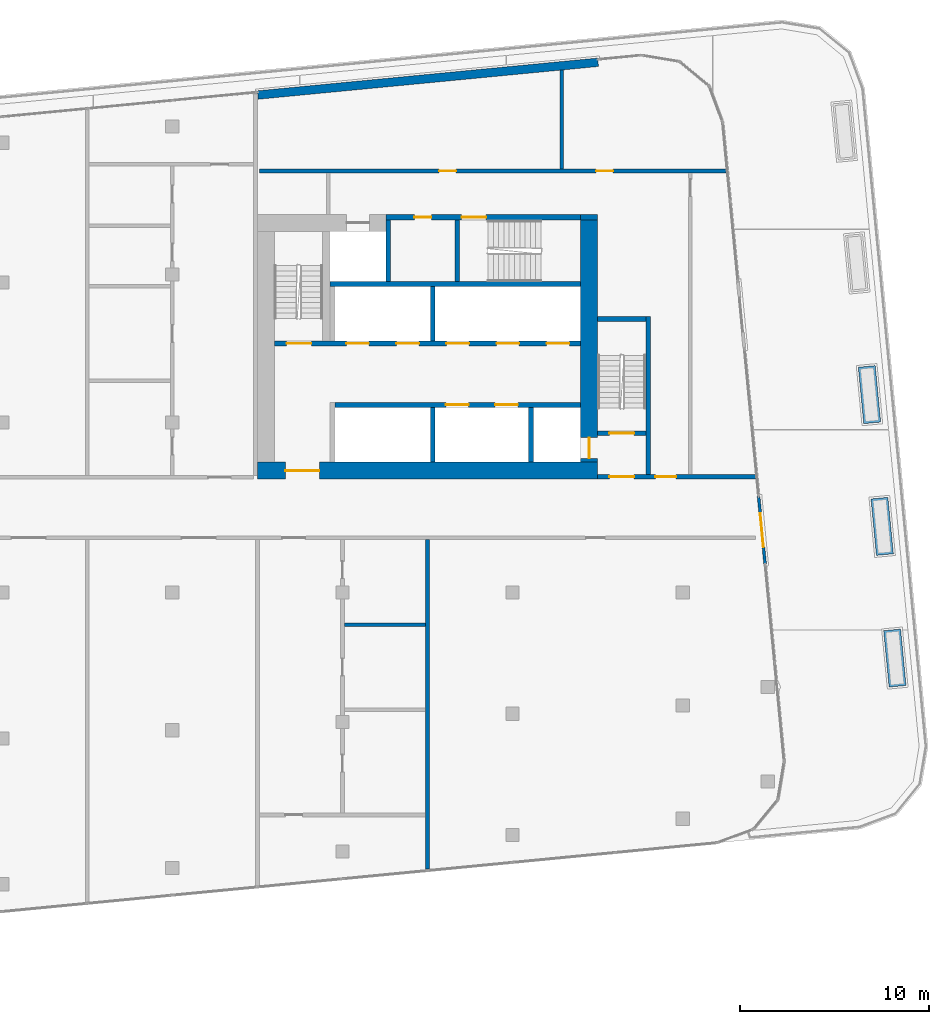
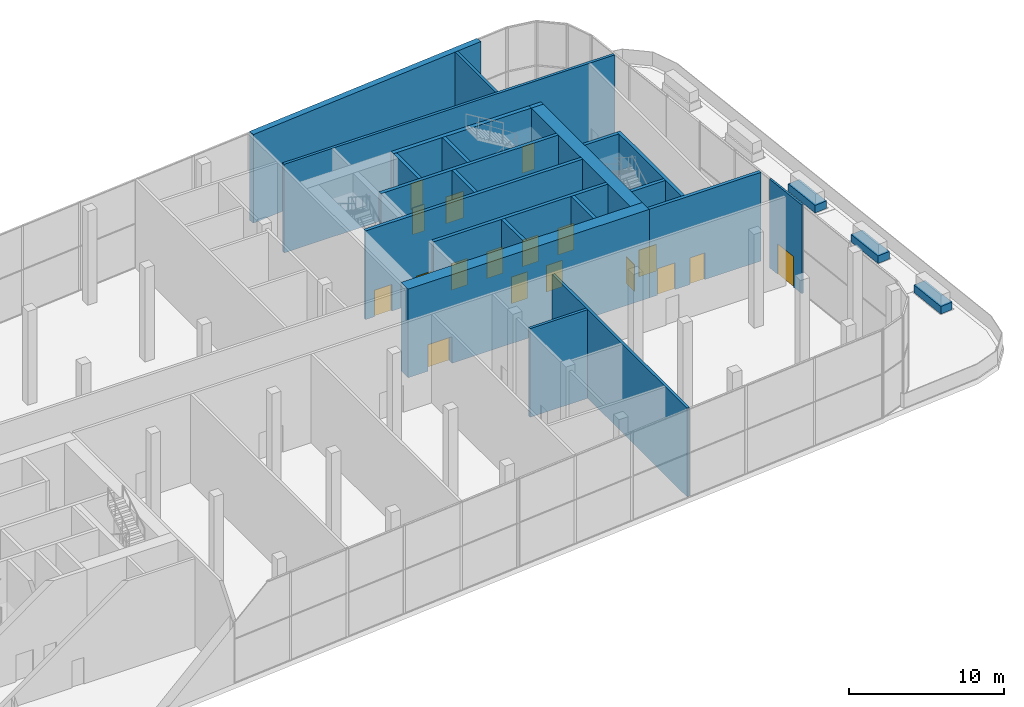
# One storey, part 15 of 25: 25 walls, 18 doors, 18 openings.
"""IFC4 building model written with IfcOpenShell, lengths in metres."""

from ifc_helpers import new_model, si_unit, direction, frame, frame_2d, origin, place, context, subcontext, project, spatial, rectangle, extrude, material, layer, layer_set, type_object, element, fill, save


model = new_model("IFC4")

# Units and contexts
model_context = context("Model", 3, precision=1e-05, world=origin(), true_north=direction((0.0, 1.0)))
body_context = subcontext(model_context, "Body", "Model", "MODEL_VIEW")
ifc_project = project(units=[si_unit("LENGTHUNIT", "METRE"), si_unit("AREAUNIT", "SQUARE_METRE"), si_unit("VOLUMEUNIT", "CUBIC_METRE"), si_unit("PLANEANGLEUNIT", "RADIAN"), si_unit("MASSUNIT", "GRAM", prefix="KILO")], contexts=[model_context])

# Site, building, storey
site_placement = place(None, origin())
site = spatial("IfcSite", under=ifc_project, at=site_placement, CompositionType="ELEMENT")
building_placement = place(site_placement, origin())
building = spatial("IfcBuilding", under=site, at=building_placement, Name="Kajstack Hotel Tower", CompositionType="ELEMENT")
storey_placement = place(building_placement, frame((0.0, 0.0, 155.0)))
storey = spatial("IfcBuildingStorey", under=building, at=storey_placement, Name="L36", CompositionType="ELEMENT", Elevation=155.0)

# Wall, opening, door
ifc_material_1 = material(Name="Concrete C60/75", Category="concrete")
ifc_layer_1 = layer(ifc_material_1, 0.89990234375)
ifc_layer_set_1 = layer_set([ifc_layer_1], Name="Core wall 900")
wall_type_1 = type_object("IfcWallType", Name="Core wall 900", PredefinedType="SHEAR", material=ifc_layer_set_1)
wall_1_placement = place(storey_placement, frame((13.5, 1.949951171875, 0.0), z_axis=(0.0, 0.0, 1.0), x_axis=(1.0, 0.0, 0.0)))
wall_1 = element("IfcWall", 1, at=wall_1_placement, inside=storey, type_object=wall_type_1, Name="Core wall E RN", PredefinedType="SHEAR", context=body_context, shape_type="SweptSolid", body=[
    extrude(rectangle(XDim=18.0, YDim=0.89990234375, at=frame_2d((9.0, 0.0))), origin(), (0.0, 0.0, 1.0), 7.0),
])
opening_1_placement = place(wall_1_placement, frame((1.47509765625, 0.0, 0.0)))
opening_1 = element("IfcOpeningElement", 2, at=opening_1_placement, cuts=wall_1, Name="Opening 36E10", PredefinedType="OPENING", context=body_context, shape_type="SweptSolid", body=[
    extrude(rectangle(XDim=1.800048828125, YDim=2.10009765625, at=frame_2d((0.89990234375, 1.050048828125))), frame((0.0, 0.4599609375, 0.0), z_axis=(0.0, -1.0, 0.0), x_axis=(1.0, 0.0, 0.0)), (0.0, 0.0, 1.0), 0.919921875),
])
ifc_material_2 = material(Name="Glazed steel frame, fire-rated glass", Category="steel")
door_type_1 = type_object("IfcDoorType", Name="Lobby double door 1800", OperationType="DOUBLE_DOOR_DOUBLE_SWING", PredefinedType="DOOR", material=ifc_material_2)
door_1_placement = place(opening_1_placement, origin())
door_1 = element("IfcDoor", 3, at=door_1_placement, inside=storey, type_object=door_type_1, Name="Door 36E10", OperationType="DOUBLE_DOOR_DOUBLE_SWING", OverallHeight=2.10009765625, OverallWidth=1.800048828125, PredefinedType="DOOR", context=body_context, shape_type="SweptSolid", body=[
    extrude(rectangle(XDim=1.800048828125, YDim=2.10009765625, at=frame_2d((0.89990234375, 1.050048828125))), frame((0.0, 0.02490234375, 0.0), z_axis=(0.0, -1.0, 0.0), x_axis=(1.0, 0.0, 0.0)), (0.0, 0.0, 1.0), 0.050048828125),
])
fill(opening_1, door_1)

# Wall
wall_2_placement = place(storey_placement, frame((30.60009765625, 15.35009765625, 0.0), z_axis=(0.0, 0.0, 1.0), x_axis=(1.0, 0.0, 0.0)))
element("IfcWall", 4, at=wall_2_placement, inside=storey, type_object=wall_type_1, Name="Core wall E RSW", PredefinedType="SHEAR", context=body_context, shape_type="SweptSolid", body=[
    extrude(rectangle(XDim=0.89990234375, YDim=0.300048828125, at=frame_2d((0.449951171875, 0.0))), origin(), (0.0, 0.0, 1.0), 7.0),
])

# Wall, opening, door
wall_3_placement = place(storey_placement, frame((31.050048828125, 2.39990234375, 0.0), z_axis=(0.0, 0.0, 1.0), x_axis=(0.0, 1.0, 0.0)))
wall_3 = element("IfcWall", 5, at=wall_3_placement, inside=storey, type_object=wall_type_1, Name="Core wall E RW", PredefinedType="SHEAR", context=body_context, shape_type="SweptSolid", body=[
    extrude(rectangle(XDim=12.800048828125, YDim=0.89990234375, at=frame_2d((6.39990234375, 0.0))), origin(), (0.0, 0.0, 1.0), 7.0),
])
opening_2_placement = place(wall_3_placement, frame((0.199951171875, 0.0, 0.0)))
opening_2 = element("IfcOpeningElement", 6, at=opening_2_placement, cuts=wall_3, Name="Opening LD-FF2", PredefinedType="OPENING", context=body_context, shape_type="SweptSolid", body=[
    extrude(rectangle(XDim=1.10009765625, YDim=2.10009765625, at=frame_2d((0.550048828125, 1.050048828125))), frame((0.0, 0.4599609375, 0.0), z_axis=(0.0, -1.0, 0.0), x_axis=(1.0, 0.0, 0.0)), (0.0, 0.0, 1.0), 0.919921875),
])
ifc_material_3 = material(Name="Stainless steel", Category="steel")
door_type_2 = type_object("IfcDoorType", Name="Fire-fighting lift landing door 1100", OperationType="SLIDING_TO_LEFT", PredefinedType="DOOR", material=ifc_material_3)
door_2_placement = place(opening_2_placement, origin())
door_2 = element("IfcDoor", 7, at=door_2_placement, inside=storey, type_object=door_type_2, Name="Landing door FF2", OperationType="SLIDING_TO_LEFT", OverallHeight=2.10009765625, OverallWidth=1.10009765625, PredefinedType="DOOR", context=body_context, shape_type="SweptSolid", body=[
    extrude(rectangle(XDim=1.10009765625, YDim=2.10009765625, at=frame_2d((0.550048828125, 1.050048828125))), frame((0.0, 0.02490234375, 0.0), z_axis=(0.0, -1.0, 0.0), x_axis=(1.0, 0.0, 0.0)), (0.0, 0.0, 1.0), 0.050048828125),
])
fill(opening_2, door_2)

# Wall
ifc_material_4 = material(Name="Concrete C40/50", Category="concrete")
ifc_layer_2 = layer(ifc_material_4, 0.449951171875)
ifc_layer_set_2 = layer_set([ifc_layer_2], Name="EW-CORE")
wall_type_2 = type_object("IfcWallType", Name="EW-CORE", PredefinedType="SOLIDWALL", material=ifc_layer_set_2)
wall_4_placement = place(storey_placement, frame((31.521484375, 23.55078125, 0.0), z_axis=(0.0, 0.0, 1.0), x_axis=(-0.995395166513, -0.095856468129, 0.0)))
element("IfcWall", 8, at=wall_4_placement, inside=storey, type_object=wall_type_2, Name="E-wall-L36-12-01", PredefinedType="SOLIDWALL", context=body_context, shape_type="SweptSolid", body=[
    extrude(rectangle(XDim=18.083251953125, YDim=0.449951171875, at=frame_2d((9.04150390625, 0.0))), origin(), (0.0, 0.0, 1.0), 7.0),
])

# Wall, opening, door
ifc_material_5 = material(Name="Aluminium", Category="aluminium")
ifc_layer_3 = layer(ifc_material_5, 0.14990234375)
ifc_layer_set_3 = layer_set([ifc_layer_3], Name="EW-FRAME")
wall_type_3 = type_object("IfcWallType", Name="EW-FRAME", PredefinedType="SOLIDWALL", material=ifc_layer_set_3)
wall_5_placement = place(storey_placement, frame((40.357177734375, -2.9990234375, 0.0), z_axis=(0.0, 0.0, 1.0), x_axis=(-0.095823535273, 0.995398337395, 0.0)))
wall_5 = element("IfcWall", 9, at=wall_5_placement, inside=storey, type_object=wall_type_3, Name="E-wall-L36-08-01", PredefinedType="SOLIDWALL", context=body_context, shape_type="SweptSolid", body=[
    extrude(rectangle(XDim=3.60009765625, YDim=0.14990234375, at=frame_2d((1.800048828125, 0.0))), origin(), (0.0, 0.0, 1.0), 7.0),
])
opening_3_placement = place(wall_5_placement, frame((0.89990234375, 0.0, 0.0)))
opening_3 = element("IfcOpeningElement", 10, at=opening_3_placement, cuts=wall_5, Name="Opening TD1", PredefinedType="OPENING", context=body_context, shape_type="SweptSolid", body=[
    extrude(rectangle(XDim=1.800048828125, YDim=2.39990234375, at=frame_2d((0.89990234375, 1.199951171875))), frame((0.0, 0.0849609375, 0.0), z_axis=(0.0, -1.0, 0.0), x_axis=(1.0, 0.0, 0.0)), (0.0, 0.0, 1.0), 0.169921875),
])
ifc_material_6 = material(Name="Timber-aluminium door", Category="wood")
door_type_3 = type_object("IfcDoorType", Name="DOOR-TERRACE", OperationType="DOUBLE_DOOR_SINGLE_SWING", PredefinedType="DOOR", material=ifc_material_6)
door_3_placement = place(opening_3_placement, origin())
door_3 = element("IfcDoor", 11, at=door_3_placement, inside=storey, type_object=door_type_3, Name="Terrace door L36-08", OperationType="SINGLE_SWING_LEFT", OverallHeight=2.39990234375, OverallWidth=1.800048828125, PredefinedType="DOOR", context=body_context, shape_type="SweptSolid", body=[
    extrude(rectangle(XDim=1.800048828125, YDim=2.39990234375, at=frame_2d((0.89990234375, 1.199951171875))), frame((0.0, 0.02490234375, 0.0), z_axis=(0.0, -1.0, 0.0), x_axis=(1.0, 0.0, 0.0)), (0.0, 0.0, 1.0), 0.050048828125),
])
fill(opening_3, door_3)

# Walls
ifc_material_7 = material(Name="Concrete C50/60", Category="concrete")
ifc_layer_4 = layer(ifc_material_7, 0.300048828125)
ifc_layer_set_4 = layer_set([ifc_layer_4], Name="Hoistway divider wall 300")
wall_type_4 = type_object("IfcWallType", Name="Hoistway divider wall 300", PredefinedType="SHEAR", material=ifc_layer_set_4)
wall_6_placement = place(storey_placement, frame((22.77490234375, 2.39990234375, 0.0), z_axis=(0.0, 0.0, 1.0), x_axis=(0.0, 1.0, 0.0)))
element("IfcWall", 12, at=wall_6_placement, inside=storey, type_object=wall_type_4, Name="Core wall E AP2", PredefinedType="SHEAR", context=body_context, shape_type="SweptSolid", body=[
    extrude(rectangle(XDim=2.900146484375, YDim=0.25, at=frame_2d((1.4501953125, 0.0))), origin(), (0.0, 0.0, 1.0), 7.0),
])
wall_7_placement = place(storey_placement, frame((22.77490234375, 8.800048828125, 0.0), z_axis=(0.0, 0.0, 1.0), x_axis=(0.0, 1.0, 0.0)))
element("IfcWall", 13, at=wall_7_placement, inside=storey, type_object=wall_type_4, Name="Core wall E BP2", PredefinedType="SHEAR", context=body_context, shape_type="SweptSolid", body=[
    extrude(rectangle(XDim=2.89990234375, YDim=0.25, at=frame_2d((1.449951171875, 0.0))), origin(), (0.0, 0.0, 1.0), 7.0),
])
ifc_material_8 = material(Name="Concrete C30/37", Category="concrete")
ifc_layer_5 = layer(ifc_material_8, 0.89990234375)
ifc_layer_set_5 = layer_set([ifc_layer_5], Name="PLANTER-WALL")
wall_type_5 = type_object("IfcWallType", Name="PLANTER-WALL", PredefinedType="SOLIDWALL", material=ifc_layer_set_5)
for number, where, z_axis, x_axis, name in (
    (14, (45.734619140625, 7.46044921875, 0.0), (0.0, 0.0, 1.0), (0.095869027982, -0.99539395692, 0.0), "PLANTER L36-01-03"),
    (15, (46.405517578125, 0.49267578125, 0.0), (0.0, 0.0, 1.0), (0.095869027982, -0.99539395692, 0.0), "PLANTER L36-01-04"),
    (16, (47.076416015625, -6.47509765625, 0.0), (0.0, 0.0, 1.0), (0.095869027982, -0.99539395692, 0.0), "PLANTER L36-01-05"),
):
    element("IfcWall", number, at=place(storey_placement, frame(where, z_axis=z_axis, x_axis=x_axis)), inside=storey, type_object=wall_type_5, Name=name, PredefinedType="SOLIDWALL", context=body_context, shape_type="SweptSolid", body=[
        extrude(rectangle(XDim=3.0, YDim=0.89990234375, at=frame_2d((1.5, 0.0))), origin(), (0.0, 0.0, 1.0), 0.60009765625),
    ])
ifc_material_9 = material(Name="Gypsum board on steel studs, mineral wool", Category="steel")
ifc_layer_6 = layer(ifc_material_9, 0.199951171875)
ifc_layer_set_6 = layer_set([ifc_layer_6], Name="Public partition 200")
wall_type_6 = type_object("IfcWallType", Name="Public partition 200", PredefinedType="PARTITIONING", material=ifc_layer_set_6)
wall_8_placement = place(storey_placement, frame((18.10009765625, -6.199951171875, 0.0), z_axis=(0.0, 0.0, 1.0), x_axis=(1.0, 0.0, 0.0)))
element("IfcWall", 17, at=wall_8_placement, inside=storey, type_object=wall_type_6, Name="Partition SC3wP0", PredefinedType="PARTITIONING", context=body_context, shape_type="SweptSolid", body=[
    extrude(rectangle(XDim=4.2998046875, YDim=0.199951171875, at=frame_2d((2.14990234375, 0.0))), origin(), (0.0, 0.0, 1.0), 7.0),
])
wall_9_placement = place(storey_placement, frame((22.5, -19.135498046875, 0.0), z_axis=(0.0, 0.0, 1.0), x_axis=(0.0, 1.0, 0.0)))
element("IfcWall", 18, at=wall_9_placement, inside=storey, type_object=wall_type_6, Name="Partition SPX3", PredefinedType="PARTITIONING", context=body_context, shape_type="SweptSolid", body=[
    extrude(rectangle(XDim=17.435546875, YDim=0.199951171875, at=frame_2d((8.7177734375, 0.0))), origin(), (0.0, 0.0, 1.0), 7.0),
])

# Wall, openings, doors
ifc_layer_7 = layer(ifc_material_9, 0.199951171875)
ifc_layer_set_7 = layer_set([ifc_layer_7], Name="Service partition 200")
wall_type_7 = type_object("IfcWallType", Name="Service partition 200", PredefinedType="PARTITIONING", material=ifc_layer_set_7)
wall_10_placement = place(storey_placement, frame((31.5, 1.625, 0.0), z_axis=(0.0, 0.0, 1.0), x_axis=(1.0, 0.0, 0.0)))
wall_10 = element("IfcWall", 19, at=wall_10_placement, inside=storey, type_object=wall_type_7, Name="Partition E SN", PredefinedType="PARTITIONING", context=body_context, shape_type="SweptSolid", body=[
    extrude(rectangle(XDim=8.336669921875, YDim=0.25, at=frame_2d((4.16845703125, 0.0))), origin(), (0.0, 0.0, 1.0), 7.0),
])
opening_4_placement = place(wall_10_placement, frame((0.625, 0.0, 0.0)))
opening_4 = element("IfcOpeningElement", 20, at=opening_4_placement, cuts=wall_10, Name="Opening 36E11", PredefinedType="OPENING", context=body_context, shape_type="SweptSolid", body=[
    extrude(rectangle(XDim=1.300048828125, YDim=2.10009765625, at=frame_2d((0.64990234375, 1.050048828125))), frame((0.0, 0.135009765625, 0.0), z_axis=(0.0, -1.0, 0.0), x_axis=(1.0, 0.0, 0.0)), (0.0, 0.0, 1.0), 0.27001953125),
])
opening_5_placement = place(wall_10_placement, frame((3.050048828125, 0.0, 0.0)))
opening_5 = element("IfcOpeningElement", 21, at=opening_5_placement, cuts=wall_10, Name="Opening 36E13", PredefinedType="OPENING", context=body_context, shape_type="SweptSolid", body=[
    extrude(rectangle(XDim=1.10009765625, YDim=2.10009765625, at=frame_2d((0.550048828125, 1.050048828125))), frame((0.0, 0.135009765625, 0.0), z_axis=(0.0, -1.0, 0.0), x_axis=(1.0, 0.0, 0.0)), (0.0, 0.0, 1.0), 0.27001953125),
])
ifc_material_10 = material(Name="Steel leaf, fire-rated", Category="steel")
door_type_4 = type_object("IfcDoorType", Name="Fire lobby door 1300", OperationType="SINGLE_SWING_LEFT", PredefinedType="DOOR", material=ifc_material_10)
door_4_placement = place(opening_4_placement, origin())
door_4 = element("IfcDoor", 22, at=door_4_placement, inside=storey, type_object=door_type_4, Name="Door 36E11", OperationType="SINGLE_SWING_LEFT", OverallHeight=2.10009765625, OverallWidth=1.300048828125, PredefinedType="DOOR", context=body_context, shape_type="SweptSolid", body=[
    extrude(rectangle(XDim=1.300048828125, YDim=2.10009765625, at=frame_2d((0.64990234375, 1.050048828125))), frame((0.0, 0.02490234375, 0.0), z_axis=(0.0, -1.0, 0.0), x_axis=(1.0, 0.0, 0.0)), (0.0, 0.0, 1.0), 0.050048828125),
])
fill(opening_4, door_4)
ifc_material_11 = material(Name="Timber leaf, fire-rated", Category="wood")
door_type_5 = type_object("IfcDoorType", Name="Service corridor door 1100", OperationType="SINGLE_SWING_LEFT", PredefinedType="DOOR", material=ifc_material_11)
door_5_placement = place(opening_5_placement, origin())
door_5 = element("IfcDoor", 23, at=door_5_placement, inside=storey, type_object=door_type_5, Name="Door 36E13", OperationType="SINGLE_SWING_LEFT", OverallHeight=2.10009765625, OverallWidth=1.10009765625, PredefinedType="DOOR", context=body_context, shape_type="SweptSolid", body=[
    extrude(rectangle(XDim=1.10009765625, YDim=2.10009765625, at=frame_2d((0.550048828125, 1.050048828125))), frame((0.0, 0.02490234375, 0.0), z_axis=(0.0, -1.0, 0.0), x_axis=(1.0, 0.0, 0.0)), (0.0, 0.0, 1.0), 0.050048828125),
])
fill(opening_5, door_5)

wall_11_placement = place(storey_placement, frame((13.60009765625, 17.800048828125, 0.0), z_axis=(0.0, 0.0, 1.0), x_axis=(1.0, 0.0, 0.0)))
wall_11 = element("IfcWall", 24, at=wall_11_placement, inside=storey, type_object=wall_type_7, Name="Partition E SLN", PredefinedType="PARTITIONING", context=body_context, shape_type="SweptSolid", body=[
    extrude(rectangle(XDim=24.67919921875, YDim=0.199951171875, at=frame_2d((12.339599609375, 0.0))), origin(), (0.0, 0.0, 1.0), 7.0),
])
opening_6_placement = place(wall_11_placement, frame((17.8125, 0.0, 0.0)))
opening_6 = element("IfcOpeningElement", 25, at=opening_6_placement, cuts=wall_11, Name="Opening 36E17", PredefinedType="OPENING", context=body_context, shape_type="SweptSolid", body=[
    extrude(rectangle(XDim=0.89990234375, YDim=2.10009765625, at=frame_2d((0.449951171875, 1.050048828125))), frame((0.0, 0.10986328125, 0.0), z_axis=(0.0, -1.0, 0.0), x_axis=(1.0, 0.0, 0.0)), (0.0, 0.0, 1.0), 0.219970703125),
])
opening_7_placement = place(wall_11_placement, frame((9.512451171875, 0.0, 0.0)))
opening_7 = element("IfcOpeningElement", 26, at=opening_7_placement, cuts=wall_11, Name="Opening 36E18", PredefinedType="OPENING", context=body_context, shape_type="SweptSolid", body=[
    extrude(rectangle(XDim=0.89990234375, YDim=2.10009765625, at=frame_2d((0.449951171875, 1.050048828125))), frame((0.0, 0.10986328125, 0.0), z_axis=(0.0, -1.0, 0.0), x_axis=(1.0, 0.0, 0.0)), (0.0, 0.0, 1.0), 0.219970703125),
])
door_type_6 = type_object("IfcDoorType", Name="Service door 900", OperationType="SINGLE_SWING_LEFT", PredefinedType="DOOR", material=ifc_material_11)
door_6_placement = place(opening_6_placement, origin())
door_6 = element("IfcDoor", 27, at=door_6_placement, inside=storey, type_object=door_type_6, Name="Door 36E17", OperationType="SINGLE_SWING_LEFT", OverallHeight=2.10009765625, OverallWidth=0.89990234375, PredefinedType="DOOR", context=body_context, shape_type="SweptSolid", body=[
    extrude(rectangle(XDim=0.89990234375, YDim=2.10009765625, at=frame_2d((0.449951171875, 1.050048828125))), frame((0.0, 0.02490234375, 0.0), z_axis=(0.0, -1.0, 0.0), x_axis=(1.0, 0.0, 0.0)), (0.0, 0.0, 1.0), 0.050048828125),
])
fill(opening_6, door_6)
door_7_placement = place(opening_7_placement, origin())
door_7 = element("IfcDoor", 28, at=door_7_placement, inside=storey, type_object=door_type_6, Name="Door 36E18", OperationType="SINGLE_SWING_LEFT", OverallHeight=2.10009765625, OverallWidth=0.89990234375, PredefinedType="DOOR", context=body_context, shape_type="SweptSolid", body=[
    extrude(rectangle(XDim=0.89990234375, YDim=2.10009765625, at=frame_2d((0.449951171875, 1.050048828125))), frame((0.0, 0.02490234375, 0.0), z_axis=(0.0, -1.0, 0.0), x_axis=(1.0, 0.0, 0.0)), (0.0, 0.0, 1.0), 0.050048828125),
])
fill(opening_7, door_7)

# Wall
wall_12_placement = place(storey_placement, frame((29.60009765625, 17.89990234375, 0.0), z_axis=(0.0, 0.0, 1.0), x_axis=(0.0, 1.0, 0.0)))
element("IfcWall", 29, at=wall_12_placement, inside=storey, type_object=wall_type_7, Name="Partition E SLP0", PredefinedType="PARTITIONING", context=body_context, shape_type="SweptSolid", body=[
    extrude(rectangle(XDim=5.24072265625, YDim=0.199951171875, at=frame_2d((2.620361328125, 0.0))), origin(), (0.0, 0.0, 1.0), 7.0),
])

# Wall, openings, doors
ifc_layer_8 = layer(ifc_material_7, 0.25)
ifc_layer_set_8 = layer_set([ifc_layer_8], Name="Shaft wall 250")
wall_type_8 = type_object("IfcWallType", Name="Shaft wall 250", PredefinedType="SHEAR", material=ifc_layer_set_8)
wall_13_placement = place(storey_placement, frame((20.300048828125, 15.35009765625, 0.0), z_axis=(0.0, 0.0, 1.0), x_axis=(1.0, 0.0, 0.0)))
wall_13 = element("IfcWall", 30, at=wall_13_placement, inside=storey, type_object=wall_type_8, Name="Core wall E RSS", PredefinedType="SHEAR", context=body_context, shape_type="SweptSolid", body=[
    extrude(rectangle(XDim=10.300048828125, YDim=0.300048828125, at=frame_2d((5.14990234375, 0.0))), origin(), (0.0, 0.0, 1.0), 7.0),
])
opening_8_placement = place(wall_13_placement, frame((4.0, 0.0, 0.0)))
opening_8 = element("IfcOpeningElement", 31, at=opening_8_placement, cuts=wall_13, Name="Opening 36E15", PredefinedType="OPENING", context=body_context, shape_type="SweptSolid", body=[
    extrude(rectangle(XDim=1.300048828125, YDim=2.10009765625, at=frame_2d((0.64990234375, 1.050048828125))), frame((0.0, 0.159912109375, 0.0), z_axis=(0.0, -1.0, 0.0), x_axis=(1.0, 0.0, 0.0)), (0.0, 0.0, 1.0), 0.320068359375),
])
opening_9_placement = place(wall_13_placement, frame((1.5, 0.0, 0.0)))
opening_9 = element("IfcOpeningElement", 32, at=opening_9_placement, cuts=wall_13, Name="Opening 36E16", PredefinedType="OPENING", context=body_context, shape_type="SweptSolid", body=[
    extrude(rectangle(XDim=0.89990234375, YDim=2.10009765625, at=frame_2d((0.449951171875, 1.050048828125))), frame((0.0, 0.159912109375, 0.0), z_axis=(0.0, -1.0, 0.0), x_axis=(1.0, 0.0, 0.0)), (0.0, 0.0, 1.0), 0.320068359375),
])
door_8_placement = place(opening_9_placement, origin())
door_8 = element("IfcDoor", 33, at=door_8_placement, inside=storey, type_object=door_type_6, Name="Door 36E16", OperationType="SINGLE_SWING_RIGHT", OverallHeight=2.10009765625, OverallWidth=0.89990234375, PredefinedType="DOOR", context=body_context, shape_type="SweptSolid", body=[
    extrude(rectangle(XDim=0.89990234375, YDim=2.10009765625, at=frame_2d((0.449951171875, 1.050048828125))), frame((0.0, 0.02490234375, 0.0), z_axis=(0.0, -1.0, 0.0), x_axis=(1.0, 0.0, 0.0)), (0.0, 0.0, 1.0), 0.050048828125),
])
fill(opening_9, door_8)
door_type_7 = type_object("IfcDoorType", Name="Stair door 1300", OperationType="SINGLE_SWING_LEFT", PredefinedType="DOOR", material=ifc_material_10)
door_9_placement = place(opening_8_placement, origin())
door_9 = element("IfcDoor", 34, at=door_9_placement, inside=storey, type_object=door_type_7, Name="Door 36E15", OperationType="SINGLE_SWING_LEFT", OverallHeight=2.10009765625, OverallWidth=1.300048828125, PredefinedType="DOOR", context=body_context, shape_type="SweptSolid", body=[
    extrude(rectangle(XDim=1.300048828125, YDim=2.10009765625, at=frame_2d((0.64990234375, 1.050048828125))), frame((0.0, 0.02490234375, 0.0), z_axis=(0.0, -1.0, 0.0), x_axis=(1.0, 0.0, 0.0)), (0.0, 0.0, 1.0), 0.050048828125),
])
fill(opening_8, door_9)

wall_14_placement = place(storey_placement, frame((17.60009765625, 5.425048828125, 0.0), z_axis=(0.0, 0.0, 1.0), x_axis=(1.0, 0.0, 0.0)))
wall_14 = element("IfcWall", 35, at=wall_14_placement, inside=storey, type_object=wall_type_8, Name="Core wall E FA", PredefinedType="SHEAR", context=body_context, shape_type="SweptSolid", body=[
    extrude(rectangle(XDim=13.0, YDim=0.25, at=frame_2d((6.5, 0.0))), origin(), (0.0, 0.0, 1.0), 7.0),
])
opening_10_placement = place(wall_14_placement, frame((8.47509765625, 0.0, 0.0)))
opening_10 = element("IfcOpeningElement", 36, at=opening_10_placement, cuts=wall_14, Name="Opening LD-MR7", PredefinedType="OPENING", context=body_context, shape_type="SweptSolid", body=[
    extrude(rectangle(XDim=1.199951171875, YDim=2.10009765625, at=frame_2d((0.60009765625, 1.050048828125))), frame((0.0, 0.135009765625, 0.0), z_axis=(0.0, -1.0, 0.0), x_axis=(1.0, 0.0, 0.0)), (0.0, 0.0, 1.0), 0.27001953125),
])
opening_11_placement = place(wall_14_placement, frame((5.875, 0.0, 0.0)))
opening_11 = element("IfcOpeningElement", 37, at=opening_11_placement, cuts=wall_14, Name="Opening LD-MR8", PredefinedType="OPENING", context=body_context, shape_type="SweptSolid", body=[
    extrude(rectangle(XDim=1.199951171875, YDim=2.10009765625, at=frame_2d((0.60009765625, 1.050048828125))), frame((0.0, 0.135009765625, 0.0), z_axis=(0.0, -1.0, 0.0), x_axis=(1.0, 0.0, 0.0)), (0.0, 0.0, 1.0), 0.27001953125),
])
door_type_8 = type_object("IfcDoorType", Name="Lift landing door 1200", OperationType="SLIDING_TO_LEFT", PredefinedType="DOOR", material=ifc_material_3)
door_10_placement = place(opening_10_placement, origin())
door_10 = element("IfcDoor", 38, at=door_10_placement, inside=storey, type_object=door_type_8, Name="Landing door MR7", OperationType="SLIDING_TO_LEFT", OverallHeight=2.10009765625, OverallWidth=1.199951171875, PredefinedType="DOOR", context=body_context, shape_type="SweptSolid", body=[
    extrude(rectangle(XDim=1.199951171875, YDim=2.10009765625, at=frame_2d((0.60009765625, 1.050048828125))), frame((0.0, 0.02490234375, 0.0), z_axis=(0.0, -1.0, 0.0), x_axis=(1.0, 0.0, 0.0)), (0.0, 0.0, 1.0), 0.050048828125),
])
fill(opening_10, door_10)
door_11_placement = place(opening_11_placement, origin())
door_11 = element("IfcDoor", 39, at=door_11_placement, inside=storey, type_object=door_type_8, Name="Landing door MR8", OperationType="SLIDING_TO_RIGHT", OverallHeight=2.10009765625, OverallWidth=1.199951171875, PredefinedType="DOOR", context=body_context, shape_type="SweptSolid", body=[
    extrude(rectangle(XDim=1.199951171875, YDim=2.10009765625, at=frame_2d((0.60009765625, 1.050048828125))), frame((0.0, 0.02490234375, 0.0), z_axis=(0.0, -1.0, 0.0), x_axis=(1.0, 0.0, 0.0)), (0.0, 0.0, 1.0), 0.050048828125),
])
fill(opening_11, door_11)

# Wall
wall_15_placement = place(storey_placement, frame((27.97509765625, 2.39990234375, 0.0), z_axis=(0.0, 0.0, 1.0), x_axis=(0.0, 1.0, 0.0)))
element("IfcWall", 40, at=wall_15_placement, inside=storey, type_object=wall_type_8, Name="Core wall E AP0", PredefinedType="SHEAR", context=body_context, shape_type="SweptSolid", body=[
    extrude(rectangle(XDim=2.900146484375, YDim=0.25, at=frame_2d((1.4501953125, 0.0))), origin(), (0.0, 0.0, 1.0), 7.0),
])

# Wall, openings, doors
wall_16_placement = place(storey_placement, frame((14.39990234375, 8.675048828125, 0.0), z_axis=(0.0, 0.0, 1.0), x_axis=(1.0, 0.0, 0.0)))
wall_16 = element("IfcWall", 41, at=wall_16_placement, inside=storey, type_object=wall_type_8, Name="Core wall E FB", PredefinedType="SHEAR", context=body_context, shape_type="SweptSolid", body=[
    extrude(rectangle(XDim=16.2001953125, YDim=0.25, at=frame_2d((8.10009765625, 0.0))), origin(), (0.0, 0.0, 1.0), 7.0),
])
opening_12_placement = place(wall_16_placement, frame((14.39990234375, 0.0, 0.0)))
opening_12 = element("IfcOpeningElement", 42, at=opening_12_placement, cuts=wall_16, Name="Opening LD-LR4", PredefinedType="OPENING", context=body_context, shape_type="SweptSolid", body=[
    extrude(rectangle(XDim=1.199951171875, YDim=2.10009765625, at=frame_2d((0.60009765625, 1.050048828125))), frame((0.0, 0.135009765625, 0.0), z_axis=(0.0, -1.0, 0.0), x_axis=(1.0, 0.0, 0.0)), (0.0, 0.0, 1.0), 0.27001953125),
])
opening_13_placement = place(wall_16_placement, frame((11.75, 0.0, 0.0)))
opening_13 = element("IfcOpeningElement", 43, at=opening_13_placement, cuts=wall_16, Name="Opening LD-LR5", PredefinedType="OPENING", context=body_context, shape_type="SweptSolid", body=[
    extrude(rectangle(XDim=1.199951171875, YDim=2.10009765625, at=frame_2d((0.60009765625, 1.050048828125))), frame((0.0, 0.135009765625, 0.0), z_axis=(0.0, -1.0, 0.0), x_axis=(1.0, 0.0, 0.0)), (0.0, 0.0, 1.0), 0.27001953125),
])
opening_14_placement = place(wall_16_placement, frame((9.10009765625, 0.0, 0.0)))
opening_14 = element("IfcOpeningElement", 44, at=opening_14_placement, cuts=wall_16, Name="Opening LD-LR6", PredefinedType="OPENING", context=body_context, shape_type="SweptSolid", body=[
    extrude(rectangle(XDim=1.199951171875, YDim=2.10009765625, at=frame_2d((0.60009765625, 1.050048828125))), frame((0.0, 0.135009765625, 0.0), z_axis=(0.0, -1.0, 0.0), x_axis=(1.0, 0.0, 0.0)), (0.0, 0.0, 1.0), 0.27001953125),
])
opening_15_placement = place(wall_16_placement, frame((6.449951171875, 0.0, 0.0)))
opening_15 = element("IfcOpeningElement", 45, at=opening_15_placement, cuts=wall_16, Name="Opening LD-MR5", PredefinedType="OPENING", context=body_context, shape_type="SweptSolid", body=[
    extrude(rectangle(XDim=1.199951171875, YDim=2.10009765625, at=frame_2d((0.60009765625, 1.050048828125))), frame((0.0, 0.135009765625, 0.0), z_axis=(0.0, -1.0, 0.0), x_axis=(1.0, 0.0, 0.0)), (0.0, 0.0, 1.0), 0.27001953125),
])
opening_16_placement = place(wall_16_placement, frame((3.800048828125, 0.0, 0.0)))
opening_16 = element("IfcOpeningElement", 46, at=opening_16_placement, cuts=wall_16, Name="Opening LD-MR6", PredefinedType="OPENING", context=body_context, shape_type="SweptSolid", body=[
    extrude(rectangle(XDim=1.199951171875, YDim=2.10009765625, at=frame_2d((0.60009765625, 1.050048828125))), frame((0.0, 0.135009765625, 0.0), z_axis=(0.0, -1.0, 0.0), x_axis=(1.0, 0.0, 0.0)), (0.0, 0.0, 1.0), 0.27001953125),
])
opening_17_placement = place(wall_16_placement, frame((0.64990234375, 0.0, 0.0)))
opening_17 = element("IfcOpeningElement", 47, at=opening_17_placement, cuts=wall_16, Name="Opening 36E14", PredefinedType="OPENING", context=body_context, shape_type="SweptSolid", body=[
    extrude(rectangle(XDim=1.300048828125, YDim=2.10009765625, at=frame_2d((0.64990234375, 1.050048828125))), frame((0.0, 0.135009765625, 0.0), z_axis=(0.0, -1.0, 0.0), x_axis=(1.0, 0.0, 0.0)), (0.0, 0.0, 1.0), 0.27001953125),
])
door_12_placement = place(opening_12_placement, origin())
door_12 = element("IfcDoor", 48, at=door_12_placement, inside=storey, type_object=door_type_8, Name="Landing door LR4", OperationType="SLIDING_TO_LEFT", OverallHeight=2.10009765625, OverallWidth=1.199951171875, PredefinedType="DOOR", context=body_context, shape_type="SweptSolid", body=[
    extrude(rectangle(XDim=1.199951171875, YDim=2.10009765625, at=frame_2d((0.60009765625, 1.050048828125))), frame((0.0, 0.02490234375, 0.0), z_axis=(0.0, -1.0, 0.0), x_axis=(1.0, 0.0, 0.0)), (0.0, 0.0, 1.0), 0.050048828125),
])
fill(opening_12, door_12)
door_13_placement = place(opening_13_placement, origin())
door_13 = element("IfcDoor", 49, at=door_13_placement, inside=storey, type_object=door_type_8, Name="Landing door LR5", OperationType="SLIDING_TO_RIGHT", OverallHeight=2.10009765625, OverallWidth=1.199951171875, PredefinedType="DOOR", context=body_context, shape_type="SweptSolid", body=[
    extrude(rectangle(XDim=1.199951171875, YDim=2.10009765625, at=frame_2d((0.60009765625, 1.050048828125))), frame((0.0, 0.02490234375, 0.0), z_axis=(0.0, -1.0, 0.0), x_axis=(1.0, 0.0, 0.0)), (0.0, 0.0, 1.0), 0.050048828125),
])
fill(opening_13, door_13)
door_14_placement = place(opening_14_placement, origin())
door_14 = element("IfcDoor", 50, at=door_14_placement, inside=storey, type_object=door_type_8, Name="Landing door LR6", OperationType="SLIDING_TO_RIGHT", OverallHeight=2.10009765625, OverallWidth=1.199951171875, PredefinedType="DOOR", context=body_context, shape_type="SweptSolid", body=[
    extrude(rectangle(XDim=1.199951171875, YDim=2.10009765625, at=frame_2d((0.60009765625, 1.050048828125))), frame((0.0, 0.02490234375, 0.0), z_axis=(0.0, -1.0, 0.0), x_axis=(1.0, 0.0, 0.0)), (0.0, 0.0, 1.0), 0.050048828125),
])
fill(opening_14, door_14)
door_15_placement = place(opening_15_placement, origin())
door_15 = element("IfcDoor", 51, at=door_15_placement, inside=storey, type_object=door_type_8, Name="Landing door MR5", OperationType="SLIDING_TO_LEFT", OverallHeight=2.10009765625, OverallWidth=1.199951171875, PredefinedType="DOOR", context=body_context, shape_type="SweptSolid", body=[
    extrude(rectangle(XDim=1.199951171875, YDim=2.10009765625, at=frame_2d((0.60009765625, 1.050048828125))), frame((0.0, 0.02490234375, 0.0), z_axis=(0.0, -1.0, 0.0), x_axis=(1.0, 0.0, 0.0)), (0.0, 0.0, 1.0), 0.050048828125),
])
fill(opening_15, door_15)
door_16_placement = place(opening_16_placement, origin())
door_16 = element("IfcDoor", 52, at=door_16_placement, inside=storey, type_object=door_type_8, Name="Landing door MR6", OperationType="SLIDING_TO_RIGHT", OverallHeight=2.10009765625, OverallWidth=1.199951171875, PredefinedType="DOOR", context=body_context, shape_type="SweptSolid", body=[
    extrude(rectangle(XDim=1.199951171875, YDim=2.10009765625, at=frame_2d((0.60009765625, 1.050048828125))), frame((0.0, 0.02490234375, 0.0), z_axis=(0.0, -1.0, 0.0), x_axis=(1.0, 0.0, 0.0)), (0.0, 0.0, 1.0), 0.050048828125),
])
fill(opening_16, door_16)
door_17_placement = place(opening_17_placement, origin())
door_17 = element("IfcDoor", 53, at=door_17_placement, inside=storey, type_object=door_type_7, Name="Door 36E14", OperationType="SINGLE_SWING_LEFT", OverallHeight=2.10009765625, OverallWidth=1.300048828125, PredefinedType="DOOR", context=body_context, shape_type="SweptSolid", body=[
    extrude(rectangle(XDim=1.300048828125, YDim=2.10009765625, at=frame_2d((0.64990234375, 1.050048828125))), frame((0.0, 0.02490234375, 0.0), z_axis=(0.0, -1.0, 0.0), x_axis=(1.0, 0.0, 0.0)), (0.0, 0.0, 1.0), 0.050048828125),
])
fill(opening_17, door_17)

# Walls
wall_17_placement = place(storey_placement, frame((17.35009765625, 11.824951171875, 0.0), z_axis=(0.0, 0.0, 1.0), x_axis=(1.0, 0.0, 0.0)))
element("IfcWall", 54, at=wall_17_placement, inside=storey, type_object=wall_type_8, Name="Core wall E RB", PredefinedType="SHEAR", context=body_context, shape_type="SweptSolid", body=[
    extrude(rectangle(XDim=13.25, YDim=0.25, at=frame_2d((6.625, 0.0))), origin(), (0.0, 0.0, 1.0), 7.0),
])
wall_18_placement = place(storey_placement, frame((20.425048828125, 11.949951171875, 0.0), z_axis=(0.0, 0.0, 1.0), x_axis=(0.0, 1.0, 0.0)))
element("IfcWall", 55, at=wall_18_placement, inside=storey, type_object=wall_type_8, Name="Core wall E SVW", PredefinedType="SHEAR", context=body_context, shape_type="SweptSolid", body=[
    extrude(rectangle(XDim=3.25, YDim=0.25, at=frame_2d((1.625, 0.0))), origin(), (0.0, 0.0, 1.0), 7.0),
])

# Wall, opening, door
ifc_layer_9 = layer(ifc_material_4, 0.25)
ifc_layer_set_9 = layer_set([ifc_layer_9], Name="Stair enclosure wall 250")
wall_type_9 = type_object("IfcWallType", Name="Stair enclosure wall 250", PredefinedType="SHEAR", material=ifc_layer_set_9)
wall_19_placement = place(storey_placement, frame((31.5, 3.925048828125, 0.0), z_axis=(0.0, 0.0, 1.0), x_axis=(1.0, 0.0, 0.0)))
wall_19 = element("IfcWall", 56, at=wall_19_placement, inside=storey, type_object=wall_type_9, Name="Core wall E W1N", PredefinedType="SHEAR", context=body_context, shape_type="SweptSolid", body=[
    extrude(rectangle(XDim=2.550048828125, YDim=0.25, at=frame_2d((1.27490234375, 0.0))), origin(), (0.0, 0.0, 1.0), 7.0),
])
opening_18_placement = place(wall_19_placement, frame((0.625, 0.0, 0.0)))
opening_18 = element("IfcOpeningElement", 57, at=opening_18_placement, cuts=wall_19, Name="Opening 36E12", PredefinedType="OPENING", context=body_context, shape_type="SweptSolid", body=[
    extrude(rectangle(XDim=1.300048828125, YDim=2.10009765625, at=frame_2d((0.64990234375, 1.050048828125))), frame((0.0, 0.135009765625, 0.0), z_axis=(0.0, -1.0, 0.0), x_axis=(1.0, 0.0, 0.0)), (0.0, 0.0, 1.0), 0.27001953125),
])
door_18_placement = place(opening_18_placement, origin())
door_18 = element("IfcDoor", 58, at=door_18_placement, inside=storey, type_object=door_type_7, Name="Door 36E12", OperationType="SINGLE_SWING_LEFT", OverallHeight=2.10009765625, OverallWidth=1.300048828125, PredefinedType="DOOR", context=body_context, shape_type="SweptSolid", body=[
    extrude(rectangle(XDim=1.300048828125, YDim=2.10009765625, at=frame_2d((0.64990234375, 1.050048828125))), frame((0.0, 0.02490234375, 0.0), z_axis=(0.0, -1.0, 0.0), x_axis=(1.0, 0.0, 0.0)), (0.0, 0.0, 1.0), 0.050048828125),
])
fill(opening_18, door_18)

# Walls
wall_20_placement = place(storey_placement, frame((34.175048828125, 1.75, 0.0), z_axis=(0.0, 0.0, 1.0), x_axis=(0.0, 1.0, 0.0)))
element("IfcWall", 59, at=wall_20_placement, inside=storey, type_object=wall_type_9, Name="Core wall E W1W", PredefinedType="SHEAR", context=body_context, shape_type="SweptSolid", body=[
    extrude(rectangle(XDim=8.35009765625, YDim=0.25, at=frame_2d((4.175048828125, 0.0))), origin(), (0.0, 0.0, 1.0), 7.0),
])
wall_21_placement = place(storey_placement, frame((31.5, 9.97509765625, 0.0), z_axis=(0.0, 0.0, 1.0), x_axis=(1.0, 0.0, 0.0)))
element("IfcWall", 60, at=wall_21_placement, inside=storey, type_object=wall_type_9, Name="Core wall E W1S", PredefinedType="SHEAR", context=body_context, shape_type="SweptSolid", body=[
    extrude(rectangle(XDim=2.550048828125, YDim=0.25, at=frame_2d((1.27490234375, 0.0))), origin(), (0.0, 0.0, 1.0), 7.0),
])
ifc_layer_10 = layer(ifc_material_7, 0.35009765625)
ifc_layer_set_10 = layer_set([ifc_layer_10], Name="Stair enclosure wall 350")
wall_type_10 = type_object("IfcWallType", Name="Stair enclosure wall 350", PredefinedType="SHEAR", material=ifc_layer_set_10)
wall_22_placement = place(storey_placement, frame((24.074951171875, 11.949951171875, 0.0), z_axis=(0.0, 0.0, 1.0), x_axis=(0.0, 1.0, 0.0)))
element("IfcWall", 61, at=wall_22_placement, inside=storey, type_object=wall_type_10, Name="Core wall E W3E", PredefinedType="SHEAR", context=body_context, shape_type="SweptSolid", body=[
    extrude(rectangle(XDim=3.25, YDim=0.25, at=frame_2d((1.625, 0.0))), origin(), (0.0, 0.0, 1.0), 7.0),
])

save(model, "model.ifc")
